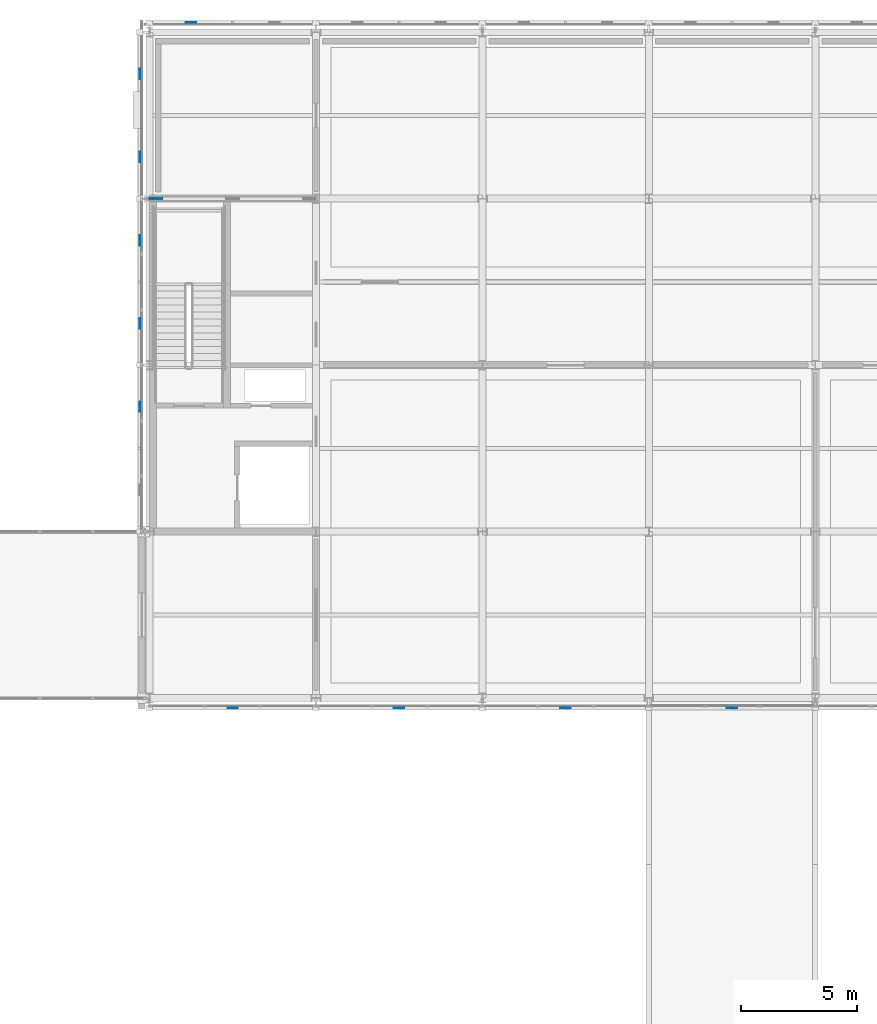
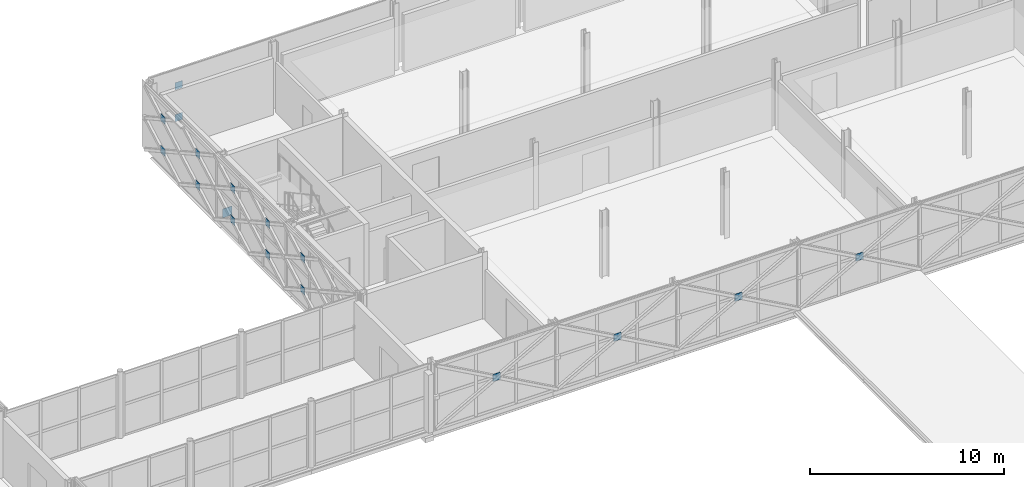
# One storey, part 93 of 126: 17 plates.
"""IFC4 building model written with IfcOpenShell, lengths in metres."""

import ifcopenshell
import ifcopenshell.guid

model = None  # the IFC model being written
_history = None  # IfcOwnerHistory: only IFC2X3 demands one
_inside = {}  # id of a spatial element -> (the spatial element, [elements in it])
_under = {}  # id of a project, library or spatial element -> (it, [spatial elements below it])
_declared = {}  # id of a project -> (the project, [libraries it declares])
_typed = {}  # id of a type object -> (the type object, [elements of that type])
_made_of = {}  # id of a material, layer set ... -> (it, [elements and type objects made of it])


def new_model(schema):
    """Start an empty IFC model of exactly this schema.

    Asked for "IFC4X3", IfcOpenShell would pick the latest addendum, in which some entities
    have other attributes; the version numbers below select the first issue.
    IFC2X3 requires an IfcOwnerHistory on every rooted entity: one is made here for all.
    """
    global model, _history
    if schema == "IFC4X3":
        model = ifcopenshell.file(schema_version=(4, 3, 0, 0))
    else:
        model = ifcopenshell.file(schema=schema)
    _inside.clear()
    _under.clear()
    _declared.clear()
    _typed.clear()
    _made_of.clear()
    _history = None
    if model.schema == "IFC2X3":
        org = make("IfcOrganization", Name="unknown")
        user = make(
            "IfcPersonAndOrganization",
            ThePerson=make("IfcPerson", FamilyName="unknown"),
            TheOrganization=org,
        )
        app = make(
            "IfcApplication",
            ApplicationDeveloper=org,
            Version="unknown",
            ApplicationFullName="unknown",
            ApplicationIdentifier="unknown",
        )
        _history = make(
            "IfcOwnerHistory",
            OwningUser=user,
            OwningApplication=app,
            ChangeAction="ADDED",
            CreationDate=0,
        )
    return model


def make(cls, **values):
    """One entity of the class cls with the attributes given. An attribute that is None is left unset."""
    return model.create_entity(
        cls, **{name: value for name, value in values.items() if value is not None}
    )


def rooted(cls, **values):
    """An entity with a GlobalId (a new one), such as an element, a storey or a relation."""
    return make(cls, GlobalId=ifcopenshell.guid.new(), OwnerHistory=_history, **values)


def si_unit(unit_type, name, prefix=None):
    """IfcSIUnit, for example si_unit("LENGTHUNIT", "METRE", prefix="MILLI")."""
    return make("IfcSIUnit", UnitType=unit_type, Prefix=prefix, Name=name)


def assignment(units):
    """IfcUnitAssignment: the units of a project."""
    return None if units is None else make("IfcUnitAssignment", Units=units)


def point(xyz):
    """IfcCartesianPoint."""
    return None if xyz is None else make("IfcCartesianPoint", Coordinates=xyz)


def direction(xyz):
    """IfcDirection."""
    return None if xyz is None else make("IfcDirection", DirectionRatios=xyz)


def frame(location, z_axis=None, x_axis=None):
    """IfcAxis2Placement3D, a coordinate frame: its origin and axes. An axis left out is left unset."""
    return make(
        "IfcAxis2Placement3D",
        Location=point(location),
        Axis=direction(z_axis),
        RefDirection=direction(x_axis),
    )


def frame_2d(location, x_axis=None):
    """IfcAxis2Placement2D, a coordinate frame in the plane: its origin and x axis."""
    return make(
        "IfcAxis2Placement2D", Location=point(location), RefDirection=direction(x_axis)
    )


def origin():
    """The frame at (0, 0, 0) with its axes left unset."""
    return frame((0.0, 0.0, 0.0))


def origin_2d():
    """The frame at (0, 0) in the plane with its x axis left unset."""
    return frame_2d((0.0, 0.0))


def place(relative_to, where):
    """IfcLocalPlacement: puts the frame where relative to a parent placement (None: the world)."""
    return make(
        "IfcLocalPlacement", PlacementRelTo=relative_to, RelativePlacement=where
    )


def context(
    kind, dimensions, precision=None, world=None, true_north=None, identifier=None
):
    """IfcGeometricRepresentationContext, for example the 3D "Model" context."""
    return make(
        "IfcGeometricRepresentationContext",
        ContextIdentifier=identifier,
        ContextType=kind,
        CoordinateSpaceDimension=dimensions,
        Precision=precision,
        WorldCoordinateSystem=world,
        TrueNorth=true_north,
    )


def subcontext(parent, identifier, kind, view, scale=None):
    """IfcGeometricRepresentationSubContext, for example "Body" below "Model"."""
    return make(
        "IfcGeometricRepresentationSubContext",
        ContextIdentifier=identifier,
        ContextType=kind,
        ParentContext=parent,
        TargetScale=scale,
        TargetView=view,
    )


def project(units=None, contexts=None):
    """IfcProject with its units and contexts."""
    return rooted(
        "IfcProject",
        Name="project",
        RepresentationContexts=contexts,
        UnitsInContext=assignment(units),
    )


def spatial(cls, under=None, at=None, **own):
    """A site, building, storey or space (cls), placed at a placement, below another one or the project."""
    s = rooted(cls, ObjectPlacement=at, **own)
    if under is not None:
        _under.setdefault(under.id(), (under, []))[1].append(s)
    return s


def profile(cls, at=None, kind="AREA", **sizes):
    """A parametric profile (cls). Its sizes go by their IFC names, for example OverallWidth=200.0."""
    return make(cls, ProfileType=kind, Position=at, **sizes)


def rectangle(**sizes):
    """IfcRectangleProfileDef."""
    return profile("IfcRectangleProfileDef", **sizes)


def extrude(swept, where, along, depth):
    """IfcExtrudedAreaSolid: the profile swept, set in the frame where, extruded along a direction by depth."""
    return make(
        "IfcExtrudedAreaSolid",
        SweptArea=swept,
        Position=where,
        ExtrudedDirection=direction(along),
        Depth=depth,
    )


def shape(context_of_items, identifier, shape_type, items):
    """IfcShapeRepresentation: the items that make up one representation, for example the "Body"."""
    return make(
        "IfcShapeRepresentation",
        ContextOfItems=context_of_items,
        RepresentationIdentifier=identifier,
        RepresentationType=shape_type,
        Items=items,
    )


def material(Name=None, Category=None):
    """IfcMaterial."""
    return make("IfcMaterial", Name=Name, Category=Category)


def layer(
    of_material, thickness, ventilated=None, Name=None, Category=None, Priority=None
):
    """IfcMaterialLayer: one layer of a wall or slab, of a material (None: an air gap)."""
    return make(
        "IfcMaterialLayer",
        Material=of_material,
        LayerThickness=thickness,
        IsVentilated=ventilated,
        Name=Name,
        Category=Category,
        Priority=Priority,
    )


def layer_set(layers, Name=None):
    """IfcMaterialLayerSet."""
    return make("IfcMaterialLayerSet", MaterialLayers=layers, LayerSetName=Name)


def made_of(thing, what):
    """Note that an element or type object is made of a material, layer set ...; save() writes the relation."""
    if what is not None:
        _made_of.setdefault(what.id(), (what, []))[1].append(thing)
    return thing


def type_object(cls, material=None, **own):
    """A type object (cls), such as IfcWallType, which elements share."""
    return made_of(rooted(cls, **own), material)


def element(
    cls,
    number,
    at=None,
    inside=None,
    cuts=None,
    type_object=None,
    material=None,
    context=None,
    identifier="Body",
    shape_type=None,
    held_by="IfcProductDefinitionShape",
    body=None,
    shapes=None,
    **own,
):
    """One element of the class cls, such as IfcWall. Its Tag is "e" and its number.

    at: its placement. inside: the storey or other place that contains it. cuts: it is an
    opening in that element (IfcRelVoidsElement). A single representation is given by context,
    identifier, shape_type and body (its items); several are given by shapes. held_by: the class
    of the entity that holds the representations. save() writes the other relations.
    """
    e = rooted(cls, Tag="e%d" % number, ObjectPlacement=at, **own)
    if body is not None:
        shapes = [shape(context, identifier, shape_type, body)]
    if shapes is not None:
        e.Representation = make(held_by, Representations=shapes)
    if inside is not None:
        _inside.setdefault(inside.id(), (inside, []))[1].append(e)
    if cuts is not None:
        rooted(
            "IfcRelVoidsElement", RelatingBuildingElement=cuts, RelatedOpeningElement=e
        )
    if type_object is not None:
        _typed.setdefault(type_object.id(), (type_object, []))[1].append(e)
    return made_of(e, material)


def aggregate(whole, parts):
    """IfcRelAggregates: a whole, such as a stair, and the parts it consists of."""
    return rooted("IfcRelAggregates", RelatingObject=whole, RelatedObjects=parts)


def save(model, path):
    """Write the relations noted so far, then the file.

    IfcRelAggregates (storeys below a building ...), IfcRelContainedInSpatialStructure (elements
    in a storey), IfcRelDefinesByType, IfcRelAssociatesMaterial and IfcRelDeclares: one each for
    every whole, place, type object, material and project.
    """
    for whole, parts in _under.values():
        aggregate(whole, parts)
    for where, things in _inside.values():
        rooted(
            "IfcRelContainedInSpatialStructure",
            RelatedElements=things,
            RelatingStructure=where,
        )
    for kind, things in _typed.values():
        rooted("IfcRelDefinesByType", RelatedObjects=things, RelatingType=kind)
    for what, things in _made_of.values():
        rooted("IfcRelAssociatesMaterial", RelatedObjects=things, RelatingMaterial=what)
    for by, libraries in _declared.values():
        rooted("IfcRelDeclares", RelatingContext=by, RelatedDefinitions=libraries)
    model.write(path)


model = new_model("IFC4")

# Units and contexts
model_context = context("Model", 3, precision=1e-05, world=origin(), true_north=direction((0.0, 1.0)))
body_context = subcontext(model_context, "Body", "Model", "MODEL_VIEW")
ifc_project = project(units=[si_unit("LENGTHUNIT", "METRE"), si_unit("AREAUNIT", "SQUARE_METRE"), si_unit("VOLUMEUNIT", "CUBIC_METRE"), si_unit("PLANEANGLEUNIT", "RADIAN"), si_unit("MASSUNIT", "GRAM", prefix="KILO")], contexts=[model_context])

# Site, building, storey
site_placement = place(None, origin())
site = spatial("IfcSite", under=ifc_project, at=site_placement, CompositionType="ELEMENT")
building_placement = place(site_placement, origin())
building = spatial("IfcBuilding", under=site, at=building_placement, Name="Zlatovets Crest Museum", CompositionType="ELEMENT")
storey_placement = place(building_placement, frame((0.0, 0.0, 8.699951171875)))
storey = spatial("IfcBuildingStorey", under=building, at=storey_placement, Name="L02", CompositionType="ELEMENT", Elevation=8.699951171875)

# Plates
ifc_material = material(Name="Structural steel S355J2", Category="steel")
ifc_layer_1 = layer(ifc_material, 0.02490234375)
ifc_layer_set_1 = layer_set([ifc_layer_1], Name="Structural steel S355J2")
plate_type_1 = type_object("IfcPlateType", Name="Gusset_GP-01", PredefinedType="USERDEFINED", material=ifc_layer_set_1)
plate_placement = place(storey_placement, frame((57.8798828125, 108.0, 0.0048828125), z_axis=(0.0, 0.0, 1.0), x_axis=(1.0, 0.0, 0.0)))
element("IfcPlate", 1, at=plate_placement, inside=storey, type_object=plate_type_1, Name="V1 L02 Brace End Gusset Plate GP-01", ObjectType="GUSSET", PredefinedType="USERDEFINED", context=body_context, shape_type="SweptSolid", body=[
    extrude(rectangle(XDim=0.550048828125, YDim=0.02490234375, at=origin_2d()), origin(), (0.0, 0.0, 1.0), 0.550048828125),
])
ifc_layer_2 = layer(ifc_material, 0.02001953125)
ifc_layer_set_2 = layer_set([ifc_layer_2], Name="Structural steel S355J2")
plate_type_2 = type_object("IfcPlateType", Name="Gusset_GP-04", PredefinedType="USERDEFINED", material=ifc_layer_set_2)
for number, where, z_axis, x_axis, name in (
    (2, (61.199951171875, 85.97998046875, 1.875), (0.0, 0.0, 1.0), (1.0, 0.0, 0.0), "X-Brace Crossing Node Gusset Plate GP-04"),
    (3, (68.39990234375, 85.97998046875, 1.875), (0.0, 0.0, 1.0), (1.0, 0.0, 0.0), "X-Brace Crossing Node Gusset Plate GP-04"),
    (4, (75.60009765625, 85.97998046875, 1.875), (0.0, 0.0, 1.0), (1.0, 0.0, 0.0), "X-Brace Crossing Node Gusset Plate GP-04"),
    (5, (82.800048828125, 85.97998046875, 1.875), (0.0, 0.0, 1.0), (1.0, 0.0, 0.0), "X-Brace Crossing Node Gusset Plate GP-04"),
    (6, (59.39990234375, 115.6201171875, 0.875), (0.0, 0.0, 1.0), (1.0, 0.0, 0.0), "X-Brace Crossing Node Gusset Plate GP-04"),
    (7, (59.39990234375, 115.6201171875, 2.875), (0.0, 0.0, 1.0), (1.0, 0.0, 0.0), "X-Brace Crossing Node Gusset Plate GP-04"),
):
    element("IfcPlate", number, at=place(storey_placement, frame(where, z_axis=z_axis, x_axis=x_axis)), inside=storey, type_object=plate_type_2, Name=name, ObjectType="GUSSET", PredefinedType="USERDEFINED", context=body_context, shape_type="SweptSolid", body=[
        extrude(rectangle(XDim=0.449951171875, YDim=0.02001953125, at=origin_2d()), origin(), (0.0, 0.0, 1.0), 0.449951171875),
    ])
for number, where, z_axis, x_axis, name in (
    (8, (57.179931640625, 113.39990234375, 0.875), (0.0, 0.0, 1.0), (1.0, 0.0, 0.0), "X-Brace Crossing Node Gusset Plate GP-04"),
    (9, (57.179931640625, 109.800048828125, 0.875), (0.0, 0.0, 1.0), (1.0, 0.0, 0.0), "X-Brace Crossing Node Gusset Plate GP-04"),
    (10, (57.179931640625, 113.39990234375, 2.875), (0.0, 0.0, 1.0), (1.0, 0.0, 0.0), "X-Brace Crossing Node Gusset Plate GP-04"),
    (11, (57.179931640625, 109.800048828125, 2.875), (0.0, 0.0, 1.0), (1.0, 0.0, 0.0), "X-Brace Crossing Node Gusset Plate GP-04"),
    (12, (57.179931640625, 106.199951171875, 0.875), (0.0, 0.0, 1.0), (1.0, 0.0, 0.0), "X-Brace Crossing Node Gusset Plate GP-04"),
    (13, (57.179931640625, 102.60009765625, 0.875), (0.0, 0.0, 1.0), (1.0, 0.0, 0.0), "X-Brace Crossing Node Gusset Plate GP-04"),
    (14, (57.179931640625, 106.199951171875, 2.875), (0.0, 0.0, 1.0), (1.0, 0.0, 0.0), "X-Brace Crossing Node Gusset Plate GP-04"),
    (15, (57.179931640625, 102.60009765625, 2.875), (0.0, 0.0, 1.0), (1.0, 0.0, 0.0), "X-Brace Crossing Node Gusset Plate GP-04"),
    (16, (57.179931640625, 99.0, 0.875), (0.0, 0.0, 1.0), (1.0, 0.0, 0.0), "X-Brace Crossing Node Gusset Plate GP-04"),
    (17, (57.179931640625, 99.0, 2.875), (0.0, 0.0, 1.0), (1.0, 0.0, 0.0), "X-Brace Crossing Node Gusset Plate GP-04"),
):
    element("IfcPlate", number, at=place(storey_placement, frame(where, z_axis=z_axis, x_axis=x_axis)), inside=storey, type_object=plate_type_2, Name=name, ObjectType="GUSSET", PredefinedType="USERDEFINED", context=body_context, shape_type="SweptSolid", body=[
        extrude(rectangle(XDim=0.02001953125, YDim=0.449951171875, at=origin_2d()), origin(), (0.0, 0.0, 1.0), 0.449951171875),
    ])

save(model, "model.ifc")
